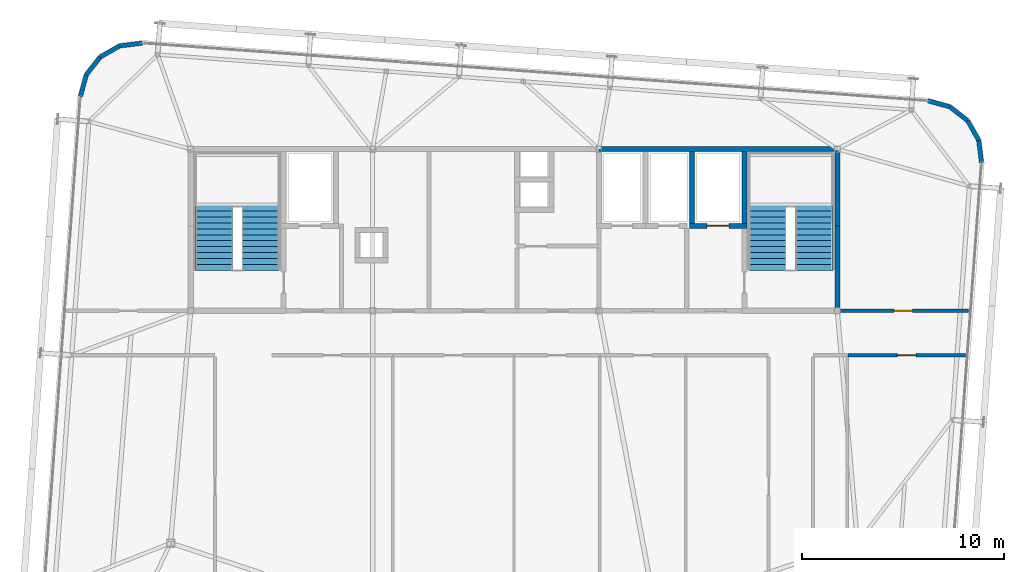
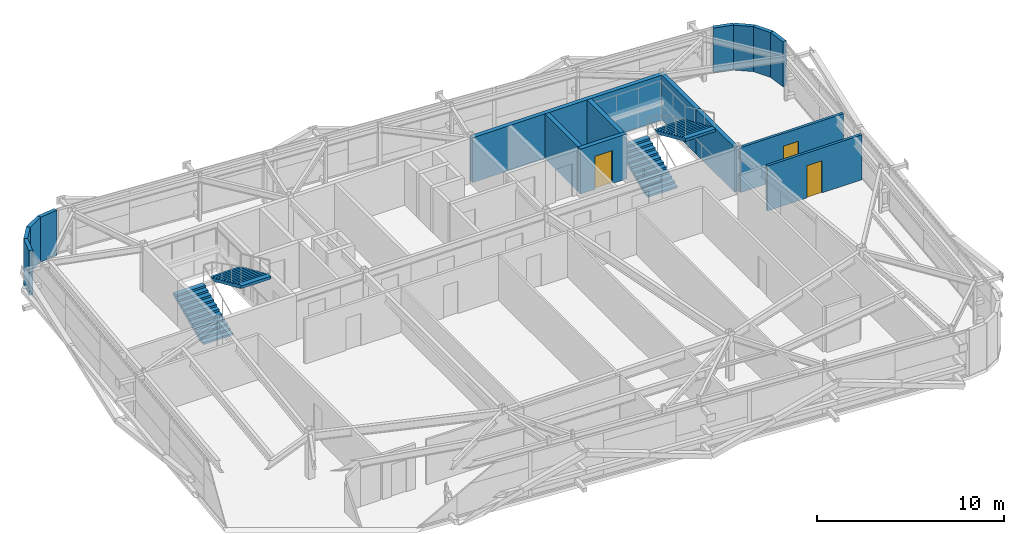
# One storey, part 33 of 34: 16 walls, 4 stair flights, 3 doors, 3 openings, 2 elements without a shape of their own.
"""IFC4 building model written with IfcOpenShell, lengths in metres."""

import ifcopenshell
import ifcopenshell.guid

model = None  # the IFC model being written
_history = None  # IfcOwnerHistory: only IFC2X3 demands one
_inside = {}  # id of a spatial element -> (the spatial element, [elements in it])
_under = {}  # id of a project, library or spatial element -> (it, [spatial elements below it])
_declared = {}  # id of a project -> (the project, [libraries it declares])
_typed = {}  # id of a type object -> (the type object, [elements of that type])
_made_of = {}  # id of a material, layer set ... -> (it, [elements and type objects made of it])


def new_model(schema):
    """Start an empty IFC model of exactly this schema.

    Asked for "IFC4X3", IfcOpenShell would pick the latest addendum, in which some entities
    have other attributes; the version numbers below select the first issue.
    IFC2X3 requires an IfcOwnerHistory on every rooted entity: one is made here for all.
    """
    global model, _history
    if schema == "IFC4X3":
        model = ifcopenshell.file(schema_version=(4, 3, 0, 0))
    else:
        model = ifcopenshell.file(schema=schema)
    _inside.clear()
    _under.clear()
    _declared.clear()
    _typed.clear()
    _made_of.clear()
    _history = None
    if model.schema == "IFC2X3":
        org = make("IfcOrganization", Name="unknown")
        user = make(
            "IfcPersonAndOrganization",
            ThePerson=make("IfcPerson", FamilyName="unknown"),
            TheOrganization=org,
        )
        app = make(
            "IfcApplication",
            ApplicationDeveloper=org,
            Version="unknown",
            ApplicationFullName="unknown",
            ApplicationIdentifier="unknown",
        )
        _history = make(
            "IfcOwnerHistory",
            OwningUser=user,
            OwningApplication=app,
            ChangeAction="ADDED",
            CreationDate=0,
        )
    return model


def make(cls, **values):
    """One entity of the class cls with the attributes given. An attribute that is None is left unset."""
    return model.create_entity(
        cls, **{name: value for name, value in values.items() if value is not None}
    )


def rooted(cls, **values):
    """An entity with a GlobalId (a new one), such as an element, a storey or a relation."""
    return make(cls, GlobalId=ifcopenshell.guid.new(), OwnerHistory=_history, **values)


def si_unit(unit_type, name, prefix=None):
    """IfcSIUnit, for example si_unit("LENGTHUNIT", "METRE", prefix="MILLI")."""
    return make("IfcSIUnit", UnitType=unit_type, Prefix=prefix, Name=name)


def assignment(units):
    """IfcUnitAssignment: the units of a project."""
    return None if units is None else make("IfcUnitAssignment", Units=units)


def point(xyz):
    """IfcCartesianPoint."""
    return None if xyz is None else make("IfcCartesianPoint", Coordinates=xyz)


def direction(xyz):
    """IfcDirection."""
    return None if xyz is None else make("IfcDirection", DirectionRatios=xyz)


def frame(location, z_axis=None, x_axis=None):
    """IfcAxis2Placement3D, a coordinate frame: its origin and axes. An axis left out is left unset."""
    return make(
        "IfcAxis2Placement3D",
        Location=point(location),
        Axis=direction(z_axis),
        RefDirection=direction(x_axis),
    )


def frame_2d(location, x_axis=None):
    """IfcAxis2Placement2D, a coordinate frame in the plane: its origin and x axis."""
    return make(
        "IfcAxis2Placement2D", Location=point(location), RefDirection=direction(x_axis)
    )


def origin():
    """The frame at (0, 0, 0) with its axes left unset."""
    return frame((0.0, 0.0, 0.0))


def place(relative_to, where):
    """IfcLocalPlacement: puts the frame where relative to a parent placement (None: the world)."""
    return make(
        "IfcLocalPlacement", PlacementRelTo=relative_to, RelativePlacement=where
    )


def context(
    kind, dimensions, precision=None, world=None, true_north=None, identifier=None
):
    """IfcGeometricRepresentationContext, for example the 3D "Model" context."""
    return make(
        "IfcGeometricRepresentationContext",
        ContextIdentifier=identifier,
        ContextType=kind,
        CoordinateSpaceDimension=dimensions,
        Precision=precision,
        WorldCoordinateSystem=world,
        TrueNorth=true_north,
    )


def subcontext(parent, identifier, kind, view, scale=None):
    """IfcGeometricRepresentationSubContext, for example "Body" below "Model"."""
    return make(
        "IfcGeometricRepresentationSubContext",
        ContextIdentifier=identifier,
        ContextType=kind,
        ParentContext=parent,
        TargetScale=scale,
        TargetView=view,
    )


def project(units=None, contexts=None):
    """IfcProject with its units and contexts."""
    return rooted(
        "IfcProject",
        Name="project",
        RepresentationContexts=contexts,
        UnitsInContext=assignment(units),
    )


def spatial(cls, under=None, at=None, **own):
    """A site, building, storey or space (cls), placed at a placement, below another one or the project."""
    s = rooted(cls, ObjectPlacement=at, **own)
    if under is not None:
        _under.setdefault(under.id(), (under, []))[1].append(s)
    return s


def polyline(points):
    """IfcPolyline through the points."""
    return make("IfcPolyline", Points=[point(p) for p in points])


def profile(cls, at=None, kind="AREA", **sizes):
    """A parametric profile (cls). Its sizes go by their IFC names, for example OverallWidth=200.0."""
    return make(cls, ProfileType=kind, Position=at, **sizes)


def rectangle(**sizes):
    """IfcRectangleProfileDef."""
    return profile("IfcRectangleProfileDef", **sizes)


def outline(outer, holes=None, kind="AREA"):
    """IfcArbitraryClosedProfileDef: a profile drawn as a closed curve; with holes, ...WithVoids."""
    if holes is None:
        return make("IfcArbitraryClosedProfileDef", ProfileType=kind, OuterCurve=outer)
    return make(
        "IfcArbitraryProfileDefWithVoids",
        ProfileType=kind,
        OuterCurve=outer,
        InnerCurves=holes,
    )


def extrude(swept, where, along, depth):
    """IfcExtrudedAreaSolid: the profile swept, set in the frame where, extruded along a direction by depth."""
    return make(
        "IfcExtrudedAreaSolid",
        SweptArea=swept,
        Position=where,
        ExtrudedDirection=direction(along),
        Depth=depth,
    )


def shape(context_of_items, identifier, shape_type, items):
    """IfcShapeRepresentation: the items that make up one representation, for example the "Body"."""
    return make(
        "IfcShapeRepresentation",
        ContextOfItems=context_of_items,
        RepresentationIdentifier=identifier,
        RepresentationType=shape_type,
        Items=items,
    )


def source(mapping_origin, context_of_items, identifier, shape_type, items):
    """IfcRepresentationMap: a shape defined once, which mapped items show again and again."""
    return make(
        "IfcRepresentationMap",
        MappingOrigin=mapping_origin,
        MappedRepresentation=shape(context_of_items, identifier, shape_type, items),
    )


def transform(
    local_origin,
    x_axis=None,
    y_axis=None,
    z_axis=None,
    scale=None,
    scale2=None,
    scale3=None,
    uniform=True,
):
    """IfcCartesianTransformationOperator3D, or its non-uniform kind. x_axis, y_axis, z_axis: its Axis1, 2, 3."""
    if uniform:
        return make(
            "IfcCartesianTransformationOperator3D",
            Axis1=direction(x_axis),
            Axis2=direction(y_axis),
            LocalOrigin=point(local_origin),
            Scale=scale,
            Axis3=direction(z_axis),
        )
    return make(
        "IfcCartesianTransformationOperator3DnonUniform",
        Axis1=direction(x_axis),
        Axis2=direction(y_axis),
        LocalOrigin=point(local_origin),
        Scale=scale,
        Axis3=direction(z_axis),
        Scale2=scale2,
        Scale3=scale3,
    )


def mapped(mapping_source, mapping_target):
    """IfcMappedItem: shows the shape of a source again, moved by a transform."""
    return make(
        "IfcMappedItem", MappingSource=mapping_source, MappingTarget=mapping_target
    )


def material(Name=None, Category=None):
    """IfcMaterial."""
    return make("IfcMaterial", Name=Name, Category=Category)


def layer(
    of_material, thickness, ventilated=None, Name=None, Category=None, Priority=None
):
    """IfcMaterialLayer: one layer of a wall or slab, of a material (None: an air gap)."""
    return make(
        "IfcMaterialLayer",
        Material=of_material,
        LayerThickness=thickness,
        IsVentilated=ventilated,
        Name=Name,
        Category=Category,
        Priority=Priority,
    )


def layer_set(layers, Name=None):
    """IfcMaterialLayerSet."""
    return make("IfcMaterialLayerSet", MaterialLayers=layers, LayerSetName=Name)


def made_of(thing, what):
    """Note that an element or type object is made of a material, layer set ...; save() writes the relation."""
    if what is not None:
        _made_of.setdefault(what.id(), (what, []))[1].append(thing)
    return thing


def type_object(cls, material=None, **own):
    """A type object (cls), such as IfcWallType, which elements share."""
    return made_of(rooted(cls, **own), material)


def element(
    cls,
    number,
    at=None,
    inside=None,
    cuts=None,
    type_object=None,
    material=None,
    context=None,
    identifier="Body",
    shape_type=None,
    held_by="IfcProductDefinitionShape",
    body=None,
    shapes=None,
    **own,
):
    """One element of the class cls, such as IfcWall. Its Tag is "e" and its number.

    at: its placement. inside: the storey or other place that contains it. cuts: it is an
    opening in that element (IfcRelVoidsElement). A single representation is given by context,
    identifier, shape_type and body (its items); several are given by shapes. held_by: the class
    of the entity that holds the representations. save() writes the other relations.
    """
    e = rooted(cls, Tag="e%d" % number, ObjectPlacement=at, **own)
    if body is not None:
        shapes = [shape(context, identifier, shape_type, body)]
    if shapes is not None:
        e.Representation = make(held_by, Representations=shapes)
    if inside is not None:
        _inside.setdefault(inside.id(), (inside, []))[1].append(e)
    if cuts is not None:
        rooted(
            "IfcRelVoidsElement", RelatingBuildingElement=cuts, RelatedOpeningElement=e
        )
    if type_object is not None:
        _typed.setdefault(type_object.id(), (type_object, []))[1].append(e)
    return made_of(e, material)


def fill(opening, filler):
    """IfcRelFillsElement: the door or window that sits in an opening."""
    return rooted(
        "IfcRelFillsElement",
        RelatingOpeningElement=opening,
        RelatedBuildingElement=filler,
    )


def aggregate(whole, parts):
    """IfcRelAggregates: a whole, such as a stair, and the parts it consists of."""
    return rooted("IfcRelAggregates", RelatingObject=whole, RelatedObjects=parts)


def save(model, path):
    """Write the relations noted so far, then the file.

    IfcRelAggregates (storeys below a building ...), IfcRelContainedInSpatialStructure (elements
    in a storey), IfcRelDefinesByType, IfcRelAssociatesMaterial and IfcRelDeclares: one each for
    every whole, place, type object, material and project.
    """
    for whole, parts in _under.values():
        aggregate(whole, parts)
    for where, things in _inside.values():
        rooted(
            "IfcRelContainedInSpatialStructure",
            RelatedElements=things,
            RelatingStructure=where,
        )
    for kind, things in _typed.values():
        rooted("IfcRelDefinesByType", RelatedObjects=things, RelatingType=kind)
    for what, things in _made_of.values():
        rooted("IfcRelAssociatesMaterial", RelatedObjects=things, RelatingMaterial=what)
    for by, libraries in _declared.values():
        rooted("IfcRelDeclares", RelatingContext=by, RelatedDefinitions=libraries)
    model.write(path)


model = new_model("IFC4")

# Units and contexts
model_context = context("Model", 3, precision=1e-05, world=origin(), true_north=direction((0.0, 1.0)))
body_context = subcontext(model_context, "Body", "Model", "MODEL_VIEW")
ifc_project = project(units=[si_unit("LENGTHUNIT", "METRE"), si_unit("AREAUNIT", "SQUARE_METRE"), si_unit("VOLUMEUNIT", "CUBIC_METRE"), si_unit("PLANEANGLEUNIT", "RADIAN"), si_unit("MASSUNIT", "GRAM", prefix="KILO")], contexts=[model_context])

# Site, building, storey
site_placement = place(None, origin())
site = spatial("IfcSite", under=ifc_project, at=site_placement, CompositionType="ELEMENT")
building_placement = place(site_placement, origin())
building = spatial("IfcBuilding", under=site, at=building_placement, Name="Taldren Reach Tower", CompositionType="ELEMENT")
storey_placement = place(building_placement, frame((0.0, 0.0, 239.75)))
storey = spatial("IfcBuildingStorey", under=building, at=storey_placement, Name="L73", CompositionType="ELEMENT", Elevation=239.75)

# Walls
ifc_material_1 = material(Name="Pale Champagne Anodised Aluminium Cladding", Category="aluminium")
ifc_layer_1 = layer(ifc_material_1, 0.04, Name="Pale Champagne Anodised Aluminium Cladding", Category="aluminium")
ifc_material_2 = material(Name="Mineral Wool Acoustic Insulation", Category="insulation")
ifc_layer_2 = layer(ifc_material_2, 0.06, Name="Mineral Wool Acoustic Insulation", Category="insulation")
ifc_material_3 = material(Name="Steel Gr 350 (C350L0)", Category="steel")
ifc_layer_3 = layer(ifc_material_3, 0.12, Name="Steel Gr 350 (C350L0)", Category="steel")
ifc_layer_set_1 = layer_set([ifc_layer_1, ifc_layer_2, ifc_layer_3], Name="Pale Champagne Aluminium Cladding and Steel Gr 350 Stud Framing")
wall_type_1 = type_object("IfcWallType", Name="EW-CRN-220", PredefinedType="SOLIDWALL", material=ifc_layer_set_1)
shared_shape_1 = source(origin(), body_context, "Body", "SweptSolid", [
    extrude(rectangle(XDim=1.115966796875, YDim=0.219970703125, at=frame_2d((0.55810546875, 0.0))), origin(), (0.0, 0.0, 1.0), 2.929931640625),
])
for number, where, z_axis, x_axis, name in (
    (1, (58.137451171875, 31.328125, 0.0), (0.0, 0.0, 1.0), (-0.122742076028, 0.992438604032, 0.0), "Rounded-corner pale-metal facade wall L73-NE1"),
    (2, (57.4501953125, 33.40625, 0.0), (0.0, 0.0, 1.0), (-0.788597772321, 0.614909386406, 0.0), "Rounded-corner pale-metal facade wall L73-NE3"),
    (3, (14.52099609375, 36.558837890625, 0.0), (0.0, 0.0, 1.0), (-0.614909386406, -0.788597772321, 0.0), "Rounded-corner pale-metal facade wall L73-NW3"),
):
    element("IfcWall", number, at=place(storey_placement, frame(where, z_axis=z_axis, x_axis=x_axis)), inside=storey, type_object=wall_type_1, Name=name, PredefinedType="SOLIDWALL", context=body_context, shape_type="MappedRepresentation", body=[
        mapped(shared_shape_1, transform((0.0, 0.0, 0.0), scale=1.0)),
    ])
shared_shape_2 = source(origin(), body_context, "Body", "SweptSolid", [
    extrude(rectangle(XDim=1.11572265625, YDim=0.219970703125, at=frame_2d((0.557861328125, 0.0))), origin(), (0.0, 0.0, 1.0), 2.929931640625),
])
for number, where, z_axis, x_axis, name in (
    (4, (58.00048828125, 32.435546875, 0.0), (0.0, 0.0, 1.0), (-0.493167138628, 0.869934579941, 0.0), "Rounded-corner pale-metal facade wall L73-NE2"),
    (5, (56.570068359375, 34.092529296875, 0.0), (0.0, 0.0, 1.0), (-0.963833843713, 0.266503886865, 0.0), "Rounded-corner pale-metal facade wall L73-NE4"),
    (6, (15.49169921875, 37.109130859375, 0.0), (0.0, 0.0, 1.0), (-0.869934579941, -0.493167138628, 0.0), "Rounded-corner pale-metal facade wall L73-NW2"),
    (7, (13.834716796875, 35.6787109375, 0.0), (0.0, 0.0, 1.0), (-0.266300605026, -0.963890028874, 0.0), "Rounded-corner pale-metal facade wall L73-NW4"),
):
    element("IfcWall", number, at=place(storey_placement, frame(where, z_axis=z_axis, x_axis=x_axis)), inside=storey, type_object=wall_type_1, Name=name, PredefinedType="SOLIDWALL", context=body_context, shape_type="MappedRepresentation", body=[
        mapped(shared_shape_2, transform((0.0, 0.0, 0.0), scale=1.0)),
    ])
shared_shape_3 = source(origin(), body_context, "Body", "SweptSolid", [
    extrude(rectangle(XDim=1.1162109375, YDim=0.219970703125, at=frame_2d((0.55810546875, 0.0))), origin(), (0.0, 0.0, 1.0), 2.929931640625),
])
wall_1_placement = place(storey_placement, frame((16.599365234375, 37.24609375, 0.0), z_axis=(0.0, 0.0, 1.0), x_axis=(-0.992441899189, -0.122715429897, 0.0)))
element("IfcWall", 8, at=wall_1_placement, inside=storey, type_object=wall_type_1, Name="Rounded-corner pale-metal facade wall L73-NW1", PredefinedType="SOLIDWALL", context=body_context, shape_type="MappedRepresentation", body=[
    mapped(shared_shape_3, transform((0.0, 0.0, 0.0), scale=1.0)),
])
ifc_material_4 = material(Name="Concrete S65 (65 MPa)", Category="concrete")
ifc_layer_4 = layer(ifc_material_4, 0.25)
ifc_layer_set_2 = layer_set([ifc_layer_4], Name="Concrete S65 (65 MPa)")
wall_type_2 = type_object("IfcWallType", Name="IW-CORE-250", PredefinedType="SHEAR", material=ifc_layer_set_2)
shared_shape_4 = source(origin(), body_context, "Body", "SweptSolid", [
    extrude(rectangle(XDim=11.925048828125, YDim=0.25, at=frame_2d((5.96240234375, 0.0))), origin(), (0.0, 0.0, 1.0), 2.929931640625),
])
wall_2_placement = place(storey_placement, frame((39.199951171875, 32.0, 0.0), z_axis=(0.0, 0.0, 1.0), x_axis=(1.0, 0.0, 0.0)))
element("IfcWall", 9, at=wall_2_placement, inside=storey, type_object=wall_type_2, Name="Rear Core Shear Wall W-CORE-L73-NORTH3", PredefinedType="SHEAR", context=body_context, shape_type="MappedRepresentation", body=[
    mapped(shared_shape_4, transform((0.0, 0.0, 0.0), scale=1.0)),
])
shared_shape_5 = source(origin(), body_context, "Body", "SweptSolid", [
    extrude(rectangle(XDim=4.074951171875, YDim=0.25, at=frame_2d((2.03759765625, 0.0))), origin(), (0.0, 0.0, 1.0), 2.929931640625),
])
wall_3_placement = place(storey_placement, frame((51.0, 24.125, 0.0), z_axis=(0.0, 0.0, 1.0), x_axis=(0.0, 1.0, 0.0)))
element("IfcWall", 10, at=wall_3_placement, inside=storey, type_object=wall_type_2, Name="Rear Core Shear Wall W-CORE-L73-EAST1", PredefinedType="SHEAR", context=body_context, shape_type="MappedRepresentation", body=[
    mapped(shared_shape_5, transform((0.0, 0.0, 0.0), scale=1.0)),
])
shared_shape_6 = source(origin(), body_context, "Body", "SweptSolid", [
    extrude(rectangle(XDim=3.675048828125, YDim=0.25, at=frame_2d((1.83740234375, 0.0))), origin(), (0.0, 0.0, 1.0), 2.929931640625),
])
wall_4_placement = place(storey_placement, frame((51.0, 28.199951171875, 0.0), z_axis=(0.0, 0.0, 1.0), x_axis=(0.0, 1.0, 0.0)))
element("IfcWall", 11, at=wall_4_placement, inside=storey, type_object=wall_type_2, Name="Rear Core Shear Wall W-CORE-L73-EAST2", PredefinedType="SHEAR", context=body_context, shape_type="MappedRepresentation", body=[
    mapped(shared_shape_6, transform((0.0, 0.0, 0.0), scale=1.0)),
])
shared_shape_7 = source(origin(), body_context, "Body", "SweptSolid", [
    extrude(rectangle(XDim=3.550048828125, YDim=0.25, at=frame_2d((1.77490234375, 0.0))), origin(), (0.0, 0.0, 1.0), 2.929931640625),
])
for number, where, z_axis, x_axis, name in (
    (12, (46.39990234375, 31.875, 0.0), (0.0, 0.0, 1.0), (0.0, -1.0, 0.0), "Rear Core Shear Wall W-INT-L73-008"),
    (13, (43.800048828125, 31.875, 0.0), (0.0, 0.0, 1.0), (0.0, -1.0, 0.0), "Rear Core Shear Wall W-INT-L73-012"),
):
    element("IfcWall", number, at=place(storey_placement, frame(where, z_axis=z_axis, x_axis=x_axis)), inside=storey, type_object=wall_type_2, Name=name, PredefinedType="SHEAR", context=body_context, shape_type="MappedRepresentation", body=[
        mapped(shared_shape_7, transform((0.0, 0.0, 0.0), scale=1.0)),
    ])

# Wall, opening, door
shared_shape_8 = source(origin(), body_context, "Body", "SweptSolid", [
    extrude(rectangle(XDim=2.849853515625, YDim=0.25, at=frame_2d((1.4248046875, 0.0))), origin(), (0.0, 0.0, 1.0), 2.929931640625),
])
wall_5_placement = place(storey_placement, frame((43.675048828125, 28.199951171875, 0.0), z_axis=(0.0, 0.0, 1.0), x_axis=(1.0, 0.0, 0.0)))
wall_5 = element("IfcWall", 14, at=wall_5_placement, inside=storey, type_object=wall_type_2, Name="Rear Core Shear Wall W-INT-L73-011", PredefinedType="SHEAR", context=body_context, shape_type="MappedRepresentation", body=[
    mapped(shared_shape_8, transform((0.0, 0.0, 0.0), scale=1.0)),
])
shared_shape_9 = source(origin(), body_context, "Body", "SweptSolid", [
    extrude(rectangle(XDim=1.10009765625, YDim=2.14990234375, at=frame_2d((0.550048828125, 1.074951171875))), frame((0.0, 0.135009765625, 0.0), z_axis=(0.0, -1.0, 0.0), x_axis=(1.0, 0.0, 0.0)), (0.0, 0.0, 1.0), 0.27001953125),
])
opening_1_placement = place(wall_5_placement, frame((0.875, 0.0, 0.0)))
opening_1 = element("IfcOpeningElement", 15, at=opening_1_placement, cuts=wall_5, Name="Opening LD-FL2", PredefinedType="OPENING", context=body_context, shape_type="MappedRepresentation", body=[
    mapped(shared_shape_9, transform((0.0, 0.0, 0.0), scale=1.0)),
])
ifc_material_5 = material(Name="Stainless Steel Gr 316 Emergency Lift Landing Door", Category="steel")
door_type_1 = type_object("IfcDoorType", Name="LD-EMG-110", OperationType="SLIDING_TO_LEFT", PredefinedType="DOOR", material=ifc_material_5)
shared_shape_10 = source(origin(), body_context, "Body", "SweptSolid", [
    extrude(rectangle(XDim=1.10009765625, YDim=2.14990234375, at=frame_2d((0.550048828125, 1.074951171875))), frame((0.0, 0.02490234375, 0.0), z_axis=(0.0, -1.0, 0.0), x_axis=(1.0, 0.0, 0.0)), (0.0, 0.0, 1.0), 0.050048828125),
])
door_1_placement = place(opening_1_placement, origin())
door_1 = element("IfcDoor", 16, at=door_1_placement, inside=storey, type_object=door_type_1, Name="Lift Landing Door LD-FL2-L73", OperationType="SLIDING_TO_LEFT", OverallHeight=2.14990234375, OverallWidth=1.10009765625, PredefinedType="DOOR", context=body_context, shape_type="MappedRepresentation", body=[
    mapped(shared_shape_10, transform((0.0, 0.0, 0.0), scale=1.0)),
])
fill(opening_1, door_1)

ifc_material_6 = material(Name="Fire-Rated Acoustic Plasterboard Stud Wall", Category="gypsum")
ifc_layer_5 = layer(ifc_material_6, 0.159912109375)
ifc_layer_set_3 = layer_set([ifc_layer_5], Name="Fire-Rated Acoustic Plasterboard Stud Wall")
wall_type_3 = type_object("IfcWallType", Name="IW-FIRE-160", PredefinedType="PARTITIONING", material=ifc_layer_set_3)
shared_shape_11 = source(origin(), body_context, "Body", "SweptSolid", [
    extrude(rectangle(XDim=6.378173828125, YDim=0.159912109375, at=frame_2d((3.18896484375, 0.0))), origin(), (0.0, 0.0, 1.0), 2.929931640625),
])
wall_6_placement = place(storey_placement, frame((51.125, 24.0, 0.0), z_axis=(0.0, 0.0, 1.0), x_axis=(1.0, 0.0, 0.0)))
wall_6 = element("IfcWall", 17, at=wall_6_placement, inside=storey, type_object=wall_type_3, Name="Interior Partition Wall W-INT-L73-045", PredefinedType="PARTITIONING", context=body_context, shape_type="MappedRepresentation", body=[
    mapped(shared_shape_11, transform((0.0, 0.0, 0.0), scale=1.0)),
])
shared_shape_12 = source(origin(), body_context, "Body", "SweptSolid", [
    extrude(rectangle(XDim=0.919921875, YDim=2.10009765625, at=frame_2d((0.4599609375, 1.050048828125))), frame((0.0, 0.08984375, 0.0), z_axis=(0.0, -1.0, 0.0), x_axis=(1.0, 0.0, 0.0)), (0.0, 0.0, 1.0), 0.179931640625),
])
opening_2_placement = place(wall_6_placement, frame((2.6767578125, 0.0, 0.0)))
opening_2 = element("IfcOpeningElement", 18, at=opening_2_placement, cuts=wall_6, Name="Opening DI-092", PredefinedType="OPENING", context=body_context, shape_type="MappedRepresentation", body=[
    mapped(shared_shape_12, transform((0.0, 0.0, 0.0), scale=1.0)),
])
ifc_material_7 = material(Name="Solid-Core Timber Suite Door", Category="wood")
door_type_2 = type_object("IfcDoorType", Name="ID-INT-092", OperationType="NOTDEFINED", PredefinedType="DOOR", material=ifc_material_7)
shared_shape_13 = source(origin(), body_context, "Body", "SweptSolid", [
    extrude(rectangle(XDim=0.919921875, YDim=2.10009765625, at=frame_2d((0.4599609375, 1.050048828125))), frame((0.0, 0.02490234375, 0.0), z_axis=(0.0, -1.0, 0.0), x_axis=(1.0, 0.0, 0.0)), (0.0, 0.0, 1.0), 0.050048828125),
])
door_2_placement = place(opening_2_placement, origin())
door_2 = element("IfcDoor", 19, at=door_2_placement, inside=storey, type_object=door_type_2, Name="Interior Door DR-L73-015", OperationType="SINGLE_SWING_RIGHT", OverallHeight=2.10009765625, OverallWidth=0.919921875, PredefinedType="DOOR", context=body_context, shape_type="MappedRepresentation", body=[
    mapped(shared_shape_13, transform((0.0, 0.0, 0.0), scale=1.0)),
])
fill(opening_2, door_2)

shared_shape_14 = source(origin(), body_context, "Body", "SweptSolid", [
    extrude(rectangle(XDim=5.8330078125, YDim=0.159912109375, at=frame_2d((2.91650390625, 0.0))), origin(), (0.0, 0.0, 1.0), 2.929931640625),
])
wall_7_placement = place(storey_placement, frame((57.353271484375, 21.800048828125, 0.0), z_axis=(0.0, 0.0, 1.0), x_axis=(-1.0, 0.0, 0.0)))
wall_7 = element("IfcWall", 20, at=wall_7_placement, inside=storey, type_object=wall_type_3, Name="Interior Partition Wall W-INT-L73-053", PredefinedType="PARTITIONING", context=body_context, shape_type="MappedRepresentation", body=[
    mapped(shared_shape_14, transform((0.0, 0.0, 0.0), scale=1.0)),
])
opening_3_placement = place(wall_7_placement, frame((2.45654296875, 0.0, 0.0)))
opening_3 = element("IfcOpeningElement", 21, at=opening_3_placement, cuts=wall_7, Name="Opening DI-092", PredefinedType="OPENING", context=body_context, shape_type="MappedRepresentation", body=[
    mapped(shared_shape_12, transform((0.0, 0.0, 0.0), scale=1.0)),
])
door_3_placement = place(opening_3_placement, origin())
door_3 = element("IfcDoor", 22, at=door_3_placement, inside=storey, type_object=door_type_2, Name="Interior Door DR-L73-019", OperationType="SINGLE_SWING_RIGHT", OverallHeight=2.10009765625, OverallWidth=0.919921875, PredefinedType="DOOR", context=body_context, shape_type="MappedRepresentation", body=[
    mapped(shared_shape_13, transform((0.0, 0.0, 0.0), scale=1.0)),
])
fill(opening_3, door_3)

# Stair, stair flights
ifc_material_8 = material(Name="Concrete S50 (50 MPa)", Category="concrete")
stair_type = type_object("IfcStairType", Name="ST-HT-315", PredefinedType="HALF_TURN_STAIR", material=ifc_material_8)
stair_1_placement = place(storey_placement, origin())
stair_1 = element("IfcStair", 23, at=stair_1_placement, inside=storey, type_object=stair_type, Name="Fire-isolated exit stair ST1 L73", PredefinedType="HALF_TURN_STAIR")
stair_flight_type = type_object("IfcStairFlightType", Name="SF-STR-315", PredefinedType="STRAIGHT", material=ifc_material_8)
stair_flight_1_placement = place(storey_placement, frame((20.139892578125, 25.989990234375, 0.0), z_axis=(0.0, 0.0, 1.0), x_axis=(0.0, 1.0, 0.0)))
stair_flight_1 = element("IfcStairFlight", 24, at=stair_flight_1_placement, type_object=stair_flight_type, Name="ST1 flight 1", NumberOfRisers=12, NumberOfTreads=11, PredefinedType="STRAIGHT", RiserHeight=0.13125, TreadLength=0.295, context=body_context, shape_type="SweptSolid", body=[
    extrude(outline(polyline([(0.0, 0.0), (0.0, 0.13134765625), (0.294921875, 0.13134765625), (0.294921875, 0.262451171875), (0.590087890625, 0.262451171875), (0.590087890625, 0.393798828125), (0.885009765625, 0.393798828125), (0.885009765625, 0.52490234375), (1.179931640625, 0.52490234375), (1.179931640625, 0.65625), (1.47509765625, 0.65625), (1.47509765625, 0.78759765625), (1.77001953125, 0.78759765625), (1.77001953125, 0.918701171875), (2.06494140625, 0.918701171875), (2.06494140625, 1.050048828125), (2.360107421875, 1.050048828125), (2.360107421875, 1.18115234375), (2.655029296875, 1.18115234375), (2.655029296875, 1.3125), (2.949951171875, 1.3125), (2.949951171875, 1.44384765625), (3.2451171875, 1.44384765625), (3.2451171875, 1.574951171875), (3.2451171875, 1.268798828125), (0.393310546875, 0.0), (0.0, 0.0)])), frame((0.0, 0.919921875, 0.0), z_axis=(0.0, -1.0, 0.0), x_axis=(1.0, 0.0, 0.0)), (0.0, 0.0, 1.0), 1.840087890625),
])
stair_flight_2_placement = place(storey_placement, frame((22.4599609375, 29.235107421875, 1.574951171875), z_axis=(0.0, 0.0, 1.0), x_axis=(0.0, -1.0, 0.0)))
stair_flight_2 = element("IfcStairFlight", 25, at=stair_flight_2_placement, type_object=stair_flight_type, Name="ST1 flight 2", NumberOfRisers=12, NumberOfTreads=11, PredefinedType="STRAIGHT", RiserHeight=0.13125, TreadLength=0.295, context=body_context, shape_type="SweptSolid", body=[
    extrude(outline(polyline([(0.0, 0.0), (0.0, 0.13134765625), (0.294921875, 0.13134765625), (0.294921875, 0.262451171875), (0.590087890625, 0.262451171875), (0.590087890625, 0.393798828125), (0.885009765625, 0.393798828125), (0.885009765625, 0.52490234375), (1.179931640625, 0.52490234375), (1.179931640625, 0.65625), (1.47509765625, 0.65625), (1.47509765625, 0.78759765625), (1.77001953125, 0.78759765625), (1.77001953125, 0.918701171875), (2.06494140625, 0.918701171875), (2.06494140625, 1.050048828125), (2.360107421875, 1.050048828125), (2.360107421875, 1.18115234375), (2.655029296875, 1.18115234375), (2.655029296875, 1.3125), (2.949951171875, 1.3125), (2.949951171875, 1.44384765625), (3.2451171875, 1.44384765625), (3.2451171875, 1.574951171875), (3.2451171875, 1.268798828125), (0.393310546875, 0.0), (0.0, 0.0)])), frame((0.0, 0.919921875, 0.0), z_axis=(0.0, -1.0, 0.0), x_axis=(1.0, 0.0, 0.0)), (0.0, 0.0, 1.0), 1.840087890625),
])
aggregate(stair_1, [stair_flight_1, stair_flight_2])

stair_2_placement = place(storey_placement, origin())
stair_2 = element("IfcStair", 26, at=stair_2_placement, inside=storey, type_object=stair_type, Name="Fire-isolated exit stair ST2 L73", PredefinedType="HALF_TURN_STAIR")
stair_flight_3_placement = place(storey_placement, frame((47.5400390625, 25.989990234375, 0.0), z_axis=(0.0, 0.0, 1.0), x_axis=(0.0, 1.0, 0.0)))
stair_flight_3 = element("IfcStairFlight", 27, at=stair_flight_3_placement, type_object=stair_flight_type, Name="ST2 flight 1", NumberOfRisers=12, NumberOfTreads=11, PredefinedType="STRAIGHT", RiserHeight=0.13125, TreadLength=0.295, context=body_context, shape_type="SweptSolid", body=[
    extrude(outline(polyline([(0.0, 0.0), (0.0, 0.13134765625), (0.294921875, 0.13134765625), (0.294921875, 0.262451171875), (0.590087890625, 0.262451171875), (0.590087890625, 0.393798828125), (0.885009765625, 0.393798828125), (0.885009765625, 0.52490234375), (1.179931640625, 0.52490234375), (1.179931640625, 0.65625), (1.47509765625, 0.65625), (1.47509765625, 0.78759765625), (1.77001953125, 0.78759765625), (1.77001953125, 0.918701171875), (2.06494140625, 0.918701171875), (2.06494140625, 1.050048828125), (2.360107421875, 1.050048828125), (2.360107421875, 1.18115234375), (2.655029296875, 1.18115234375), (2.655029296875, 1.3125), (2.949951171875, 1.3125), (2.949951171875, 1.44384765625), (3.2451171875, 1.44384765625), (3.2451171875, 1.574951171875), (3.2451171875, 1.268798828125), (0.393310546875, 0.0), (0.0, 0.0)])), frame((0.0, 0.919921875, 0.0), z_axis=(0.0, -1.0, 0.0), x_axis=(1.0, 0.0, 0.0)), (0.0, 0.0, 1.0), 1.840087890625),
])
stair_flight_4_placement = place(storey_placement, frame((49.860107421875, 29.235107421875, 1.574951171875), z_axis=(0.0, 0.0, 1.0), x_axis=(0.0, -1.0, 0.0)))
stair_flight_4 = element("IfcStairFlight", 28, at=stair_flight_4_placement, type_object=stair_flight_type, Name="ST2 flight 2", NumberOfRisers=12, NumberOfTreads=11, PredefinedType="STRAIGHT", RiserHeight=0.13125, TreadLength=0.295, context=body_context, shape_type="SweptSolid", body=[
    extrude(outline(polyline([(0.0, 0.0), (0.0, 0.13134765625), (0.294921875, 0.13134765625), (0.294921875, 0.262451171875), (0.590087890625, 0.262451171875), (0.590087890625, 0.393798828125), (0.885009765625, 0.393798828125), (0.885009765625, 0.52490234375), (1.179931640625, 0.52490234375), (1.179931640625, 0.65625), (1.47509765625, 0.65625), (1.47509765625, 0.78759765625), (1.77001953125, 0.78759765625), (1.77001953125, 0.918701171875), (2.06494140625, 0.918701171875), (2.06494140625, 1.050048828125), (2.360107421875, 1.050048828125), (2.360107421875, 1.18115234375), (2.655029296875, 1.18115234375), (2.655029296875, 1.3125), (2.949951171875, 1.3125), (2.949951171875, 1.44384765625), (3.2451171875, 1.44384765625), (3.2451171875, 1.574951171875), (3.2451171875, 1.268798828125), (0.393310546875, 0.0), (0.0, 0.0)])), frame((0.0, 0.919921875, 0.0), z_axis=(0.0, -1.0, 0.0), x_axis=(1.0, 0.0, 0.0)), (0.0, 0.0, 1.0), 1.840087890625),
])
aggregate(stair_2, [stair_flight_3, stair_flight_4])

save(model, "model.ifc")
